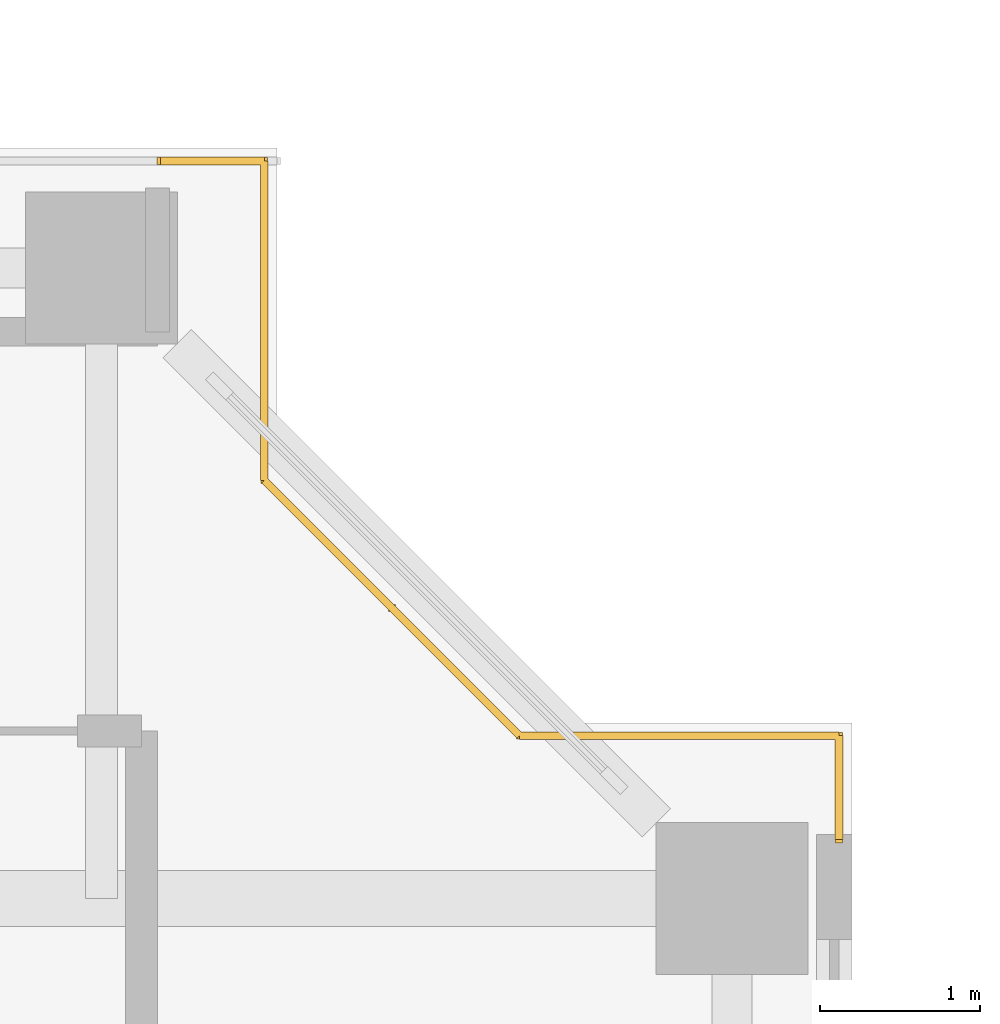
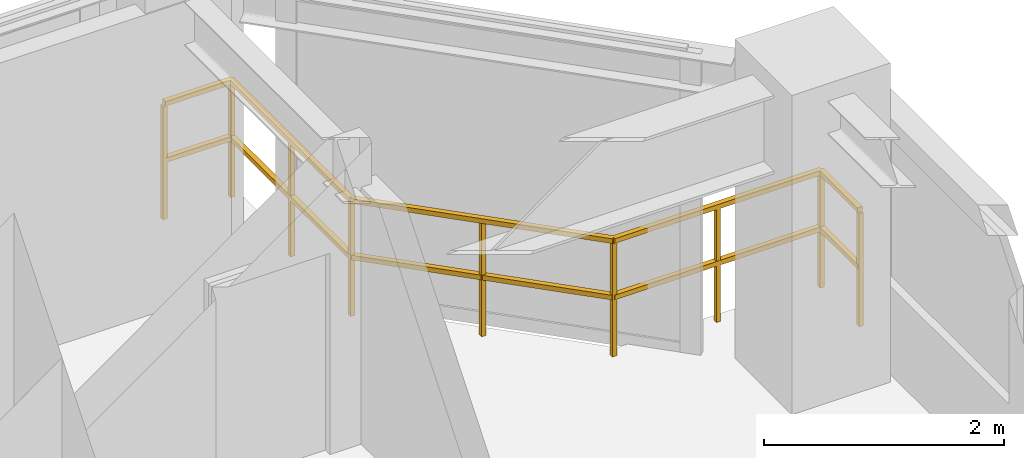
# One storey, part 23 of 23: 1 railing.
"""IFC4 building model written with IfcOpenShell, lengths in metres."""

from ifc_helpers import new_model, si_unit, direction, frame, origin, origin_2d, place, context, subcontext, project, spatial, rectangle, extrude, material, type_object, element, save


model = new_model("IFC4")

# Units and contexts
model_context = context("Model", 3, precision=1e-05, world=origin(), true_north=direction((0.0, 1.0)))
body_context = subcontext(model_context, "Body", "Model", "MODEL_VIEW")
ifc_project = project(units=[si_unit("LENGTHUNIT", "METRE"), si_unit("AREAUNIT", "SQUARE_METRE"), si_unit("VOLUMEUNIT", "CUBIC_METRE"), si_unit("PLANEANGLEUNIT", "RADIAN"), si_unit("MASSUNIT", "GRAM", prefix="KILO"), si_unit("THERMODYNAMICTEMPERATUREUNIT", "KELVIN"), si_unit("POWERUNIT", "WATT")], contexts=[model_context])

# Site, building, storey
site_placement = place(None, origin())
site = spatial("IfcSite", under=ifc_project, at=site_placement, CompositionType="ELEMENT")
building_placement = place(site_placement, origin())
building = spatial("IfcBuilding", under=site, at=building_placement, Name="Qiaomeng Ring Towers", CompositionType="ELEMENT")
storey_placement = place(building_placement, frame((0.0, 0.0, 50.25)))
storey = spatial("IfcBuildingStorey", under=building, at=storey_placement, Name="L13", CompositionType="ELEMENT", Elevation=50.25)

# Railing
ifc_material = material(Name="Low-E pale-green laminated safety glass", Category="glass")
railing_type = type_object("IfcRailingType", Name="ARC-RL-BAL1", PredefinedType="BALUSTRADE", material=ifc_material)
railing_placement = place(storey_placement, frame((73.919921875, 32.169921875, 0.0)))
element("IfcRailing", 1, at=railing_placement, inside=storey, type_object=railing_type, Name="L13 Balustrade ARC-BAL-NOTCH2-L13-NE", PredefinedType="BALUSTRADE", context=body_context, shape_type="SweptSolid", body=[
    extrude(rectangle(XDim=0.048095703125, YDim=0.048095703125, at=origin_2d()), frame((0.0, 0.0, 1.17578125), z_axis=(0.0, 1.0, 0.0), x_axis=(-1.0, 0.0, 0.0)), (0.0, 0.0, 1.0), 0.650146484375),
    extrude(rectangle(XDim=0.048095703125, YDim=0.048095703125, at=origin_2d()), frame((0.0, 0.0, 0.60009765625), z_axis=(0.0, 1.0, 0.0), x_axis=(-1.0, 0.0, 0.0)), (0.0, 0.0, 1.0), 0.650146484375),
    extrude(rectangle(XDim=0.048095703125, YDim=0.048095703125, at=origin_2d()), frame((0.0, 0.650146484375, 1.17578125), z_axis=(-1.0, 0.0, 0.0), x_axis=(0.0, -1.0, 0.0)), (0.0, 0.0, 1.0), 2.0),
    extrude(rectangle(XDim=0.048095703125, YDim=0.048095703125, at=origin_2d()), frame((0.0, 0.650146484375, 0.60009765625), z_axis=(-1.0, 0.0, 0.0), x_axis=(0.0, -1.0, 0.0)), (0.0, 0.0, 1.0), 2.0),
    extrude(rectangle(XDim=0.048095703125, YDim=0.048095703125, at=origin_2d()), frame((-2.0, 0.650146484375, 1.17578125), z_axis=(-0.707106781187, 0.707106781187, 0.0), x_axis=(-0.707106781187, -0.707106781187, 0.0)), (0.0, 0.0, 1.0), 2.262451171875),
    extrude(rectangle(XDim=0.048095703125, YDim=0.048095703125, at=origin_2d()), frame((-2.0, 0.650146484375, 0.60009765625), z_axis=(-0.707106781187, 0.707106781187, 0.0), x_axis=(-0.707106781187, -0.707106781187, 0.0)), (0.0, 0.0, 1.0), 2.262451171875),
    extrude(rectangle(XDim=0.048095703125, YDim=0.048095703125, at=origin_2d()), frame((-3.599853515625, 2.25, 1.17578125), z_axis=(0.0, 1.0, 0.0), x_axis=(-1.0, 0.0, 0.0)), (0.0, 0.0, 1.0), 2.0),
    extrude(rectangle(XDim=0.048095703125, YDim=0.048095703125, at=origin_2d()), frame((-3.599853515625, 2.25, 0.60009765625), z_axis=(0.0, 1.0, 0.0), x_axis=(-1.0, 0.0, 0.0)), (0.0, 0.0, 1.0), 2.0),
    extrude(rectangle(XDim=0.048095703125, YDim=0.048095703125, at=origin_2d()), frame((-3.599853515625, 4.25, 1.17578125), z_axis=(-1.0, 0.0, 0.0), x_axis=(0.0, -1.0, 0.0)), (0.0, 0.0, 1.0), 0.650146484375),
    extrude(rectangle(XDim=0.048095703125, YDim=0.048095703125, at=origin_2d()), frame((-3.599853515625, 4.25, 0.60009765625), z_axis=(-1.0, 0.0, 0.0), x_axis=(0.0, -1.0, 0.0)), (0.0, 0.0, 1.0), 0.650146484375),
    extrude(rectangle(XDim=0.0419921875, YDim=0.0419921875, at=origin_2d()), origin(), (0.0, 0.0, 1.0), 1.15185546875),
    extrude(rectangle(XDim=0.0419921875, YDim=0.0419921875, at=origin_2d()), frame((0.0, 0.650146484375, 0.0)), (0.0, 0.0, 1.0), 1.15185546875),
    extrude(rectangle(XDim=0.0419921875, YDim=0.0419921875, at=origin_2d()), frame((-1.0, 0.650146484375, 0.0)), (0.0, 0.0, 1.0), 1.15185546875),
    extrude(rectangle(XDim=0.0419921875, YDim=0.0419921875, at=origin_2d()), frame((-2.0, 0.650146484375, 0.0)), (0.0, 0.0, 1.0), 1.15185546875),
    extrude(rectangle(XDim=0.0419921875, YDim=0.0419921875, at=origin_2d()), frame((-2.7998046875, 1.4501953125, 0.0)), (0.0, 0.0, 1.0), 1.15185546875),
    extrude(rectangle(XDim=0.0419921875, YDim=0.0419921875, at=origin_2d()), frame((-3.599853515625, 2.25, 0.0)), (0.0, 0.0, 1.0), 1.15185546875),
    extrude(rectangle(XDim=0.0419921875, YDim=0.0419921875, at=origin_2d()), frame((-3.599853515625, 3.25, 0.0)), (0.0, 0.0, 1.0), 1.15185546875),
    extrude(rectangle(XDim=0.0419921875, YDim=0.0419921875, at=origin_2d()), frame((-3.599853515625, 4.25, 0.0)), (0.0, 0.0, 1.0), 1.15185546875),
    extrude(rectangle(XDim=0.0419921875, YDim=0.0419921875, at=origin_2d()), frame((-4.25, 4.25, 0.0)), (0.0, 0.0, 1.0), 1.15185546875),
])

save(model, "model.ifc")
